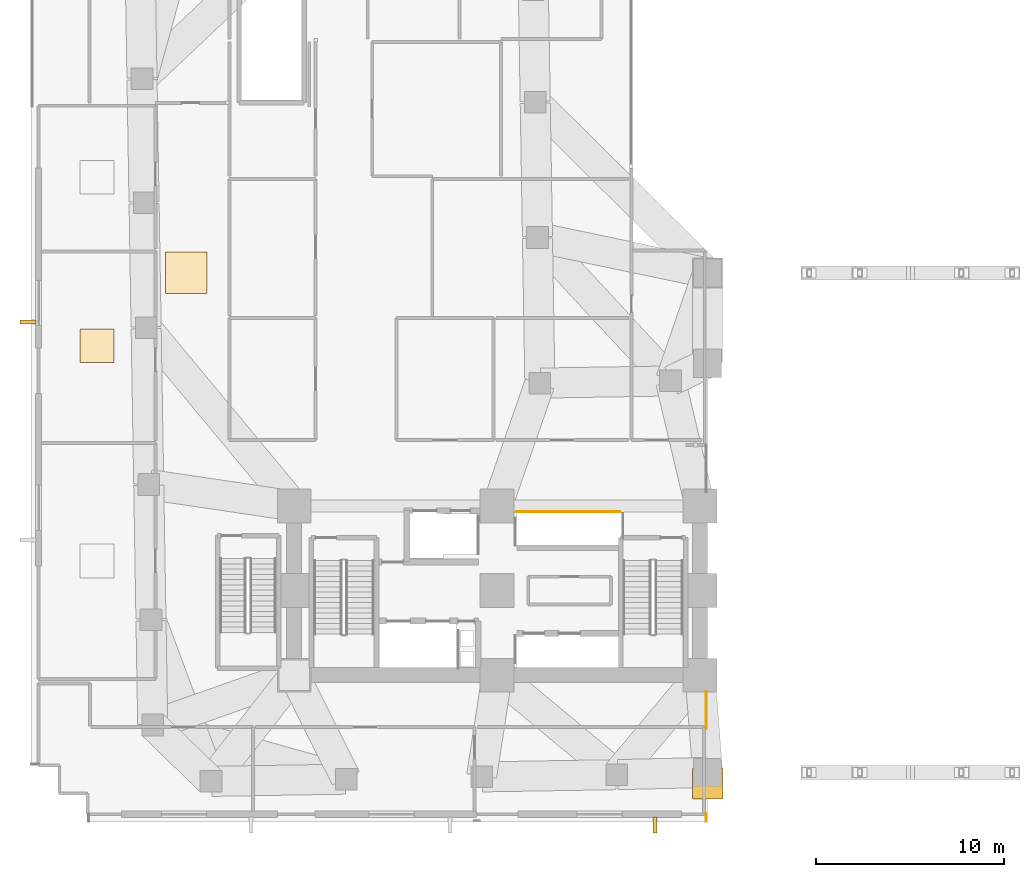
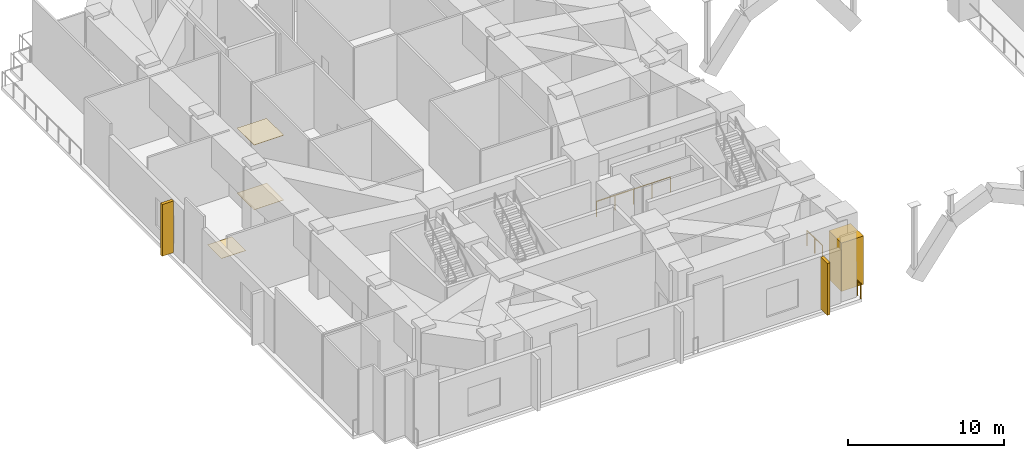
# One storey, part 12 of 15: 4 coverings, 3 railings, 2 shading devices.
"""IFC4 building model written with IfcOpenShell, lengths in metres."""

from ifc_helpers import new_model, si_unit, direction, frame, origin, origin_2d, place, context, subcontext, project, spatial, rectangle, circle, extrude, material, layer, layer_set, type_object, element, save


model = new_model("IFC4")

# Units and contexts
model_context = context("Model", 3, precision=1e-05, world=origin(), true_north=direction((0.0, 1.0)))
body_context = subcontext(model_context, "Body", "Model", "MODEL_VIEW")
ifc_project = project(units=[si_unit("LENGTHUNIT", "METRE"), si_unit("AREAUNIT", "SQUARE_METRE"), si_unit("VOLUMEUNIT", "CUBIC_METRE"), si_unit("PLANEANGLEUNIT", "RADIAN"), si_unit("MASSUNIT", "GRAM", prefix="KILO")], contexts=[model_context])

# Site, building, storey
site_placement = place(None, origin())
site = spatial("IfcSite", under=ifc_project, at=site_placement, CompositionType="ELEMENT")
building_placement = place(site_placement, origin())
building = spatial("IfcBuilding", under=site, at=building_placement, Name="Gaonmaruhae Medical Tower", CompositionType="ELEMENT")
storey_placement = place(building_placement, frame((0.0, 0.0, 21.60009765625)))
storey = spatial("IfcBuildingStorey", under=building, at=storey_placement, Name="L04", CompositionType="ELEMENT", Elevation=21.60009765625)

# Coverings
ifc_material_1 = material(Name="Architectural precast column cladding", Category="concrete")
ifc_layer_1 = layer(ifc_material_1, 0.06005859375)
ifc_layer_set_1 = layer_set([ifc_layer_1], Name="Architectural precast column cladding")
covering_type_1 = type_object("IfcCoveringType", Name="CLD-01 Architectural Precast Pier Cladding", PredefinedType="CLADDING", material=ifc_layer_set_1)
covering_1_placement = place(storey_placement, frame((36.0, 2.02001953125, 0.10009765625), z_axis=(0.0, 0.0, 1.0), x_axis=(1.0, 0.0, 0.0)))
element("IfcCovering", 1, at=covering_1_placement, inside=storey, type_object=covering_type_1, Name="L04 Architectural Precast Column Cladding 1", PredefinedType="CLADDING", context=body_context, shape_type="SweptSolid", body=[
    extrude(rectangle(XDim=1.6201171875, YDim=1.6201171875, at=origin_2d()), origin(), (0.0, 0.0, 1.0), 3.800048828125),
])
ifc_material_2 = material(Name="Acoustic mineral ceiling tile", Category="finish")
ifc_layer_2 = layer(ifc_material_2, 0.02490234375)
ifc_layer_set_2 = layer_set([ifc_layer_2], Name="Acoustic mineral ceiling tile")
covering_type_2 = type_object("IfcCoveringType", Name="CLG-01 Antimicrobial Acoustic Mineral Ceiling", PredefinedType="CEILING", material=ifc_layer_set_2)
covering_2_placement = place(storey_placement, frame((8.25, 29.205078125, 5.074951171875), z_axis=(0.0, 0.0, 1.0), x_axis=(1.0, 0.0, 0.0)))
element("IfcCovering", 2, at=covering_2_placement, inside=storey, type_object=covering_type_2, Name="L04 Clinical Corridor Acoustic Ceiling", PredefinedType="CEILING", context=body_context, shape_type="SweptSolid", body=[
    extrude(rectangle(XDim=2.199951171875, YDim=2.199951171875, at=origin_2d()), origin(), (0.0, 0.0, 1.0), 0.02490234375),
])
ifc_material_3 = material(Name="Seamless clinical vinyl flooring", Category="finish")
ifc_layer_3 = layer(ifc_material_3, 0.014892578125)
ifc_layer_set_3 = layer_set([ifc_layer_3], Name="Seamless clinical vinyl flooring")
covering_type_3 = type_object("IfcCoveringType", Name="FLR-01 Seamless Clinical Antistatic Vinyl Flooring", PredefinedType="FLOORING", material=ifc_layer_set_3)
covering_3_placement = place(storey_placement, frame((8.25, 29.205078125, 0.00048828125), z_axis=(0.0, 0.0, 1.0), x_axis=(1.0, 0.0, 0.0)))
element("IfcCovering", 3, at=covering_3_placement, inside=storey, type_object=covering_type_3, Name="L04 Clinical Corridor Vinyl Flooring", PredefinedType="FLOORING", context=body_context, shape_type="SweptSolid", body=[
    extrude(rectangle(XDim=2.199951171875, YDim=2.199951171875, at=origin_2d()), origin(), (0.0, 0.0, 1.0), 0.014892578125),
])
covering_4_placement = place(storey_placement, frame((3.510009765625, 25.324951171875, 0.0), z_axis=(0.0, 0.0, 1.0), x_axis=(1.0, 0.0, 0.0)))
element("IfcCovering", 4, at=covering_4_placement, inside=storey, type_object=covering_type_3, Name="L04 Clinical Room Vinyl Flooring 3", PredefinedType="FLOORING", context=body_context, shape_type="SweptSolid", body=[
    extrude(rectangle(XDim=1.800048828125, YDim=1.800048828125, at=origin_2d()), origin(), (0.0, 0.0, 1.0), 0.014892578125),
])

# Railings
ifc_material_4 = material(Name="Stainless steel 316L and laminated safety glass", Category="steel")
ifc_layer_4 = layer(ifc_material_4, 0.080078125)
ifc_layer_set_4 = layer_set([ifc_layer_4], Name="Stainless steel 316L and laminated safety glass")
railing_type_1 = type_object("IfcRailingType", Name="GD-120 Outdoor Terrace Safety Glass & Steel Balustrade", PredefinedType="BALUSTRADE", material=ifc_layer_set_4)
railing_1_placement = place(storey_placement, frame((35.929931640625, 6.91552734375, 0.0)))
element("IfcRailing", 5, at=railing_1_placement, inside=storey, type_object=railing_type_1, Name="L04 Perimeter Slab Edge Safety Balustrade 14", PredefinedType="BALUSTRADE", context=body_context, shape_type="SweptSolid", body=[
    extrude(circle(Radius=0.02392578125, at=origin_2d()), frame((0.0, 0.0, 1.17578125), z_axis=(0.0, -1.0, 0.0), x_axis=(1.0, 0.0, 0.0)), (0.0, 0.0, 1.0), 1.958740234375),
    extrude(circle(Radius=0.02099609375, at=origin_2d()), origin(), (0.0, 0.0, 1.0), 1.15185546875),
    extrude(circle(Radius=0.02099609375, at=origin_2d()), frame((0.0, -0.9794921875, 0.0)), (0.0, 0.0, 1.0), 1.15185546875),
    extrude(circle(Radius=0.02099609375, at=origin_2d()), frame((0.0, -1.958740234375, 0.0)), (0.0, 0.0, 1.0), 1.15185546875),
])
railing_2_placement = place(storey_placement, frame((35.929931640625, 0.439697265625, 0.0)))
element("IfcRailing", 6, at=railing_2_placement, inside=storey, type_object=railing_type_1, Name="L04 Perimeter Slab Edge Safety Balustrade 15", PredefinedType="BALUSTRADE", context=body_context, shape_type="SweptSolid", body=[
    extrude(circle(Radius=0.02392578125, at=origin_2d()), frame((0.0, 0.0, 1.17578125), z_axis=(0.0, -1.0, 0.0), x_axis=(1.0, 0.0, 0.0)), (0.0, 0.0, 1.0), 0.419677734375),
    extrude(circle(Radius=0.02099609375, at=origin_2d()), origin(), (0.0, 0.0, 1.0), 1.15185546875),
    extrude(circle(Radius=0.02099609375, at=origin_2d()), frame((0.0, -0.419677734375, 0.0)), (0.0, 0.0, 1.0), 1.15185546875),
])

# Shading devices
ifc_material_5 = material(Name="Pigmented coral precast concrete C45/55", Category="concrete")
shading_device_type = type_object("IfcShadingDeviceType", Name="SD-FIN2 Podium Vertical Coral Precast Shading Fin", PredefinedType="USERDEFINED", material=ifc_material_5)
for number, where, z_axis, x_axis, name in (
    (7, (33.199951171875, -0.1650390625, 0.059814453125), (0.0, 0.0, 1.0), (-1.0, 0.0, 0.0), "L04 Podium Coral Precast Shading Fin PB-S3"),
    (8, (-0.1650390625, 26.60009765625, 0.059814453125), (0.0, 0.0, 1.0), (0.0, 1.0, 0.0), "L04 Podium Coral Precast Shading Fin PB-W2"),
):
    element("IfcShadingDevice", number, at=place(storey_placement, frame(where, z_axis=z_axis, x_axis=x_axis)), inside=storey, type_object=shading_device_type, Name=name, ObjectType="FIN", PredefinedType="USERDEFINED", context=body_context, shape_type="SweptSolid", body=[
        extrude(rectangle(XDim=0.219970703125, YDim=0.85009765625, at=origin_2d()), origin(), (0.0, 0.0, 1.0), 4.06005859375),
    ])

# Railing
ifc_material_6 = material(Name="Stainless steel 304 balustrade", Category="steel")
railing_type_2 = type_object("IfcRailingType", Name="SG-112 Stair Well & Ramp Void Safety Balustrade", PredefinedType="BALUSTRADE", material=ifc_material_6)
railing_3_placement = place(storey_placement, frame((25.844970703125, 16.4951171875, 0.0)))
element("IfcRailing", 9, at=railing_3_placement, inside=storey, type_object=railing_type_2, Name="L04 Shaft Edge Safety Guard 23", PredefinedType="BALUSTRADE", context=body_context, shape_type="SweptSolid", body=[
    extrude(circle(Radius=0.02392578125, at=origin_2d()), frame((0.0, 0.0, 1.17578125), z_axis=(1.0, 0.0, 0.0), x_axis=(0.0, 1.0, 0.0)), (0.0, 0.0, 1.0), 5.485107421875),
    extrude(circle(Radius=0.02099609375, at=origin_2d()), origin(), (0.0, 0.0, 1.0), 1.15185546875),
    extrude(circle(Radius=0.02099609375, at=origin_2d()), frame((1.371337890625, 0.0, 0.0)), (0.0, 0.0, 1.0), 1.15185546875),
    extrude(circle(Radius=0.02099609375, at=origin_2d()), frame((2.74267578125, 0.0, 0.0)), (0.0, 0.0, 1.0), 1.15185546875),
    extrude(circle(Radius=0.02099609375, at=origin_2d()), frame((4.11376953125, 0.0, 0.0)), (0.0, 0.0, 1.0), 1.15185546875),
    extrude(circle(Radius=0.02099609375, at=origin_2d()), frame((5.485107421875, 0.0, 0.0)), (0.0, 0.0, 1.0), 1.15185546875),
])

save(model, "model.ifc")
